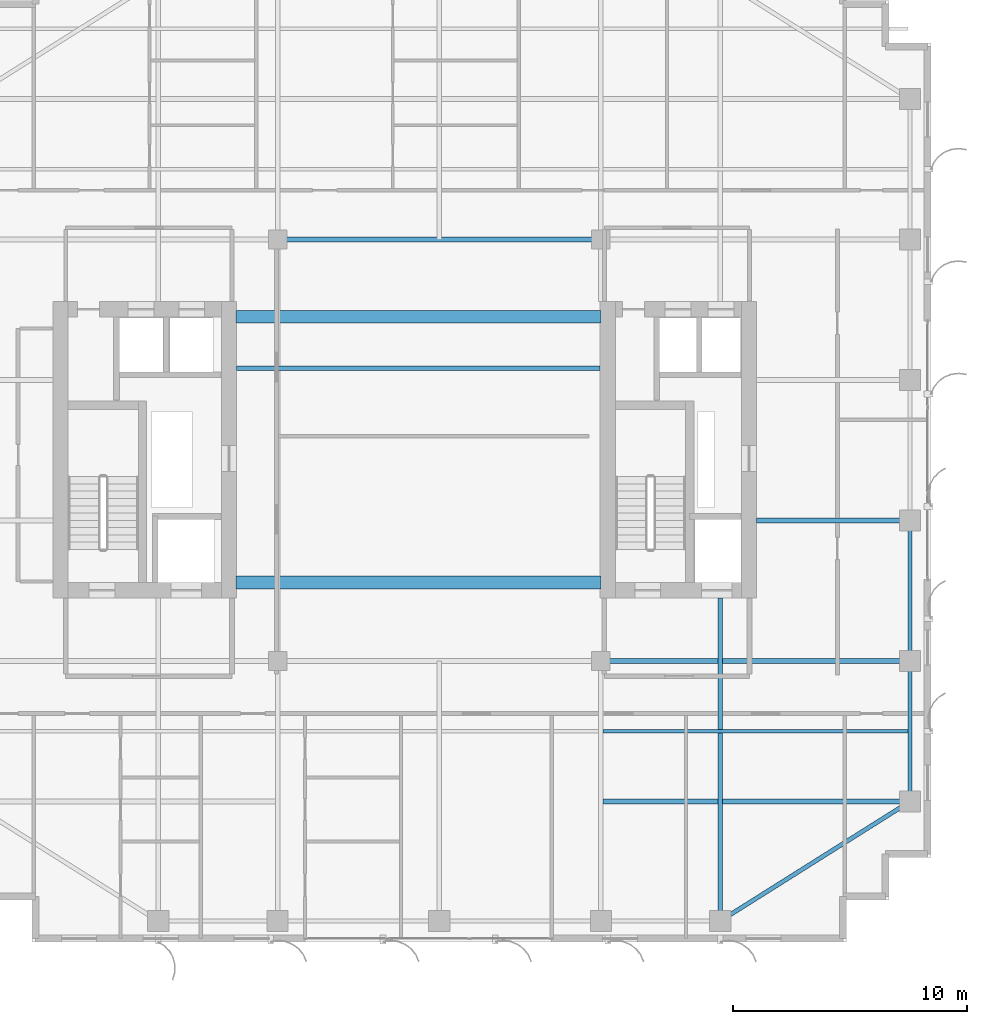
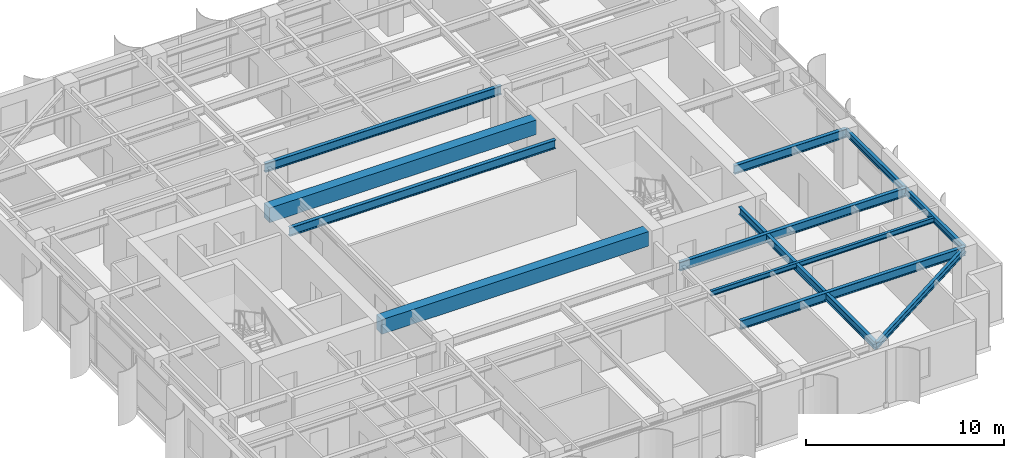
# One storey, part 8 of 22: 12 beams.
"""IFC4 building model written with IfcOpenShell, lengths in metres."""

from ifc_helpers import new_model, si_unit, direction, frame, origin, origin_2d, place, context, subcontext, project, spatial, rectangle, i_section, extrude, source, transform, mapped, material, material_profile, profile_set, type_object, element, save


model = new_model("IFC4")

# Units and contexts
model_context = context("Model", 3, precision=1e-05, world=origin(), true_north=direction((0.0, 1.0)))
body_context = subcontext(model_context, "Body", "Model", "MODEL_VIEW")
ifc_project = project(units=[si_unit("LENGTHUNIT", "METRE"), si_unit("AREAUNIT", "SQUARE_METRE"), si_unit("VOLUMEUNIT", "CUBIC_METRE"), si_unit("PLANEANGLEUNIT", "RADIAN"), si_unit("MASSUNIT", "GRAM", prefix="KILO")], contexts=[model_context])

# Site, building, storey
site_placement = place(None, origin())
site = spatial("IfcSite", under=ifc_project, at=site_placement, CompositionType="ELEMENT")
building_placement = place(site_placement, origin())
building = spatial("IfcBuilding", under=site, at=building_placement, Name="Khoralis Quay Care Tower", CompositionType="ELEMENT")
storey_placement = place(building_placement, frame((0.0, 0.0, 170.10009765625)))
storey = spatial("IfcBuildingStorey", under=building, at=storey_placement, Name="L44", CompositionType="ELEMENT", Elevation=170.10009765625)

# Beams
ifc_material_1 = material(Name="Concrete C65/80", Category="concrete")
ifc_material_profile_1 = material_profile(ifc_material_1, rectangle(XDim=0.550048828125, YDim=0.89990234375, at=origin_2d()), Name="Concrete C65/80")
ifc_profile_set_1 = profile_set([ifc_material_profile_1], Name="Concrete C65/80")
beam_type_1 = type_object("IfcBeamType", Name="CB-RC550X900", PredefinedType="LINTEL", material=ifc_profile_set_1)
shared_shape_1 = source(origin(), body_context, "Body", "SweptSolid", [
    extrude(rectangle(XDim=0.550048828125, YDim=0.89990234375, at=origin_2d()), origin(), (0.0, 0.0, 1.0), 15.579833984375),
])
for number, where, z_axis, x_axis, name in (
    (1, (15.320068359375, 15.35009765625, 2.889892578125), (1.0, 0.0, 0.0), (0.0, 1.0, 0.0), "L44 South Core Coupling Lintel"),
    (2, (15.320068359375, 26.699951171875, 2.889892578125), (1.0, 0.0, 0.0), (0.0, 1.0, 0.0), "L44 North Core Coupling Lintel"),
):
    element("IfcBeam", number, at=place(storey_placement, frame(where, z_axis=z_axis, x_axis=x_axis)), inside=storey, type_object=beam_type_1, Name=name, PredefinedType="LINTEL", context=body_context, shape_type="MappedRepresentation", body=[
        mapped(shared_shape_1, transform((0.0, 0.0, 0.0), scale=1.0)),
    ])
ifc_material_2 = material(Name="Steel S355", Category="steel")
ifc_material_profile_2 = material_profile(ifc_material_2, i_section(OverallWidth=0.179931640625, OverallDepth=0.39990234375, WebThickness=0.008544921875, FlangeThickness=0.013427734375, FilletRadius=0.02099609375, at=origin_2d()), Name="Steel S355")
ifc_profile_set_2 = profile_set([ifc_material_profile_2], Name="Steel S355")
beam_type_2 = type_object("IfcBeamType", Name="BM-IPE400", PredefinedType="SPANDREL", material=ifc_profile_set_2)
shared_shape_2 = source(origin(), body_context, "Body", "SweptSolid", [
    extrude(i_section(OverallWidth=0.179931640625, OverallDepth=0.39990234375, WebThickness=0.008544921875, FlangeThickness=0.013427734375, FilletRadius=0.02099609375, at=origin_2d()), origin(), (0.0, 0.0, 1.0), 6.0),
])
for number, where, z_axis, x_axis, name in (
    (3, (44.10009765625, 6.0, 3.139892578125), (0.0, 1.0, 0.0), (-1.0, 0.0, 0.0), "BM-TSP-L44-14"),
    (4, (44.10009765625, 12.0, 3.139892578125), (0.0, 1.0, 0.0), (-1.0, 0.0, 0.0), "BM-TSP-L44-15"),
):
    element("IfcBeam", number, at=place(storey_placement, frame(where, z_axis=z_axis, x_axis=x_axis)), inside=storey, type_object=beam_type_2, Name=name, PredefinedType="SPANDREL", context=body_context, shape_type="MappedRepresentation", body=[
        mapped(shared_shape_2, transform((0.0, 0.0, 0.0), scale=1.0)),
    ])
shared_shape_3 = source(origin(), body_context, "Body", "SweptSolid", [
    extrude(i_section(OverallWidth=0.179931640625, OverallDepth=0.39990234375, WebThickness=0.008544921875, FlangeThickness=0.013427734375, FilletRadius=0.02099609375, at=origin_2d()), origin(), (0.0, 0.0, 1.0), 9.572021484375),
])
beam_1_placement = place(storey_placement, frame((36.0, 0.89990234375, 3.139892578125), z_axis=(0.846231136359, 0.532815975602, 0.0), x_axis=(-0.532815975602, 0.846231136359, 0.0)))
element("IfcBeam", 5, at=beam_1_placement, inside=storey, type_object=beam_type_2, Name="BM-TCR-L44-20", PredefinedType="SPANDREL", context=body_context, shape_type="MappedRepresentation", body=[
    mapped(shared_shape_3, transform((0.0, 0.0, 0.0), scale=1.0)),
])
ifc_material_profile_3 = material_profile(ifc_material_2, i_section(OverallWidth=0.208984375, OverallDepth=0.532958984375, WebThickness=0.01025390625, FlangeThickness=0.015625, FilletRadius=0.01611328125, at=origin_2d()), Name="Steel S355")
ifc_profile_set_3 = profile_set([ifc_material_profile_3], Name="Steel S355")
beam_type_3 = type_object("IfcBeamType", Name="BM-W530X92", PredefinedType="BEAM", material=ifc_profile_set_3)
shared_shape_4 = source(origin(), body_context, "Body", "SweptSolid", [
    extrude(i_section(OverallWidth=0.208984375, OverallDepth=0.532958984375, WebThickness=0.01025390625, FlangeThickness=0.015625, FilletRadius=0.01611328125, at=origin_2d()), origin(), (0.0, 0.0, 1.0), 13.1162109375),
])
beam_2_placement = place(storey_placement, frame((30.98388671875, 6.0, 3.073486328125), z_axis=(1.0, 0.0, 0.0), x_axis=(0.0, 1.0, 0.0)))
element("IfcBeam", 6, at=beam_2_placement, inside=storey, type_object=beam_type_3, Name="BM-TGXE-L44-60", PredefinedType="BEAM", context=body_context, shape_type="MappedRepresentation", body=[
    mapped(shared_shape_4, transform((0.0, 0.0, 0.0), scale=1.0)),
])
shared_shape_5 = source(origin(), body_context, "Body", "SweptSolid", [
    extrude(i_section(OverallWidth=0.208984375, OverallDepth=0.532958984375, WebThickness=0.01025390625, FlangeThickness=0.015625, FilletRadius=0.01611328125, at=origin_2d()), origin(), (0.0, 0.0, 1.0), 13.2001953125),
])
beam_3_placement = place(storey_placement, frame((30.89990234375, 12.0, 3.073486328125), z_axis=(1.0, 0.0, 0.0), x_axis=(0.0, 1.0, 0.0)))
element("IfcBeam", 7, at=beam_3_placement, inside=storey, type_object=beam_type_3, Name="BM-TGXE-L44-120", PredefinedType="BEAM", context=body_context, shape_type="MappedRepresentation", body=[
    mapped(shared_shape_5, transform((0.0, 0.0, 0.0), scale=1.0)),
])
shared_shape_6 = source(origin(), body_context, "Body", "SweptSolid", [
    extrude(i_section(OverallWidth=0.208984375, OverallDepth=0.532958984375, WebThickness=0.01025390625, FlangeThickness=0.015625, FilletRadius=0.01611328125, at=origin_2d()), origin(), (0.0, 0.0, 1.0), 6.552001953125),
])
beam_4_placement = place(storey_placement, frame((37.548095703125, 18.0, 3.073486328125), z_axis=(1.0, 0.0, 0.0), x_axis=(0.0, 1.0, 0.0)))
element("IfcBeam", 8, at=beam_4_placement, inside=storey, type_object=beam_type_3, Name="BM-TGXE-L44-180", PredefinedType="BEAM", context=body_context, shape_type="MappedRepresentation", body=[
    mapped(shared_shape_6, transform((0.0, 0.0, 0.0), scale=1.0)),
])
shared_shape_7 = source(origin(), body_context, "Body", "SweptSolid", [
    extrude(i_section(OverallWidth=0.208984375, OverallDepth=0.532958984375, WebThickness=0.01025390625, FlangeThickness=0.015625, FilletRadius=0.01611328125, at=origin_2d()), origin(), (0.0, 0.0, 1.0), 13.7998046875),
])
beam_5_placement = place(storey_placement, frame((17.10009765625, 30.0, 3.073486328125), z_axis=(1.0, 0.0, 0.0), x_axis=(0.0, 1.0, 0.0)))
element("IfcBeam", 9, at=beam_5_placement, inside=storey, type_object=beam_type_3, Name="BM-TGCC-L44-300", PredefinedType="BEAM", context=body_context, shape_type="MappedRepresentation", body=[
    mapped(shared_shape_7, transform((0.0, 0.0, 0.0), scale=1.0)),
])
shared_shape_8 = source(origin(), body_context, "Body", "SweptSolid", [
    extrude(i_section(OverallWidth=0.208984375, OverallDepth=0.532958984375, WebThickness=0.01025390625, FlangeThickness=0.015625, FilletRadius=0.01611328125, at=origin_2d()), origin(), (0.0, 0.0, 1.0), 15.524169921875),
])
beam_6_placement = place(storey_placement, frame((15.347900390625, 24.5, 3.073486328125), z_axis=(1.0, 0.0, 0.0), x_axis=(0.0, 1.0, 0.0)))
element("IfcBeam", 10, at=beam_6_placement, inside=storey, type_object=beam_type_3, Name="BM-TGCC-L44-245", PredefinedType="BEAM", context=body_context, shape_type="MappedRepresentation", body=[
    mapped(shared_shape_8, transform((0.0, 0.0, 0.0), scale=1.0)),
])
ifc_material_profile_4 = material_profile(ifc_material_2, i_section(OverallWidth=0.19189453125, OverallDepth=0.462890625, WebThickness=0.010498046875, FlangeThickness=0.017578125, FilletRadius=0.014892578125, at=origin_2d()), Name="Steel S355")
ifc_profile_set_4 = profile_set([ifc_material_profile_4], Name="Steel S355")
beam_type_4 = type_object("IfcBeamType", Name="BM-W460X89", PredefinedType="BEAM", material=ifc_profile_set_4)
shared_shape_9 = source(origin(), body_context, "Body", "SweptSolid", [
    extrude(i_section(OverallWidth=0.19189453125, OverallDepth=0.462890625, WebThickness=0.010498046875, FlangeThickness=0.017578125, FilletRadius=0.014892578125, at=origin_2d()), origin(), (0.0, 0.0, 1.0), 13.802001953125),
])
beam_7_placement = place(storey_placement, frame((36.0, 0.89990234375, 3.1083984375), z_axis=(0.0, 1.0, 0.0), x_axis=(-1.0, 0.0, 0.0)))
element("IfcBeam", 11, at=beam_7_placement, inside=storey, type_object=beam_type_4, Name="BM-TGYS-L44-360", PredefinedType="BEAM", context=body_context, shape_type="MappedRepresentation", body=[
    mapped(shared_shape_9, transform((0.0, 0.0, 0.0), scale=1.0)),
])
ifc_material_profile_5 = material_profile(ifc_material_2, i_section(OverallWidth=0.1650390625, OverallDepth=0.31005859375, WebThickness=0.005859375, FlangeThickness=0.009765625, FilletRadius=0.011962890625, at=origin_2d()), Name="Steel S355")
ifc_profile_set_5 = profile_set([ifc_material_profile_5], Name="Steel S355")
beam_type_5 = type_object("IfcBeamType", Name="BM-W310X39", PredefinedType="JOIST", material=ifc_profile_set_5)
shared_shape_10 = source(origin(), body_context, "Body", "SweptSolid", [
    extrude(i_section(OverallWidth=0.1650390625, OverallDepth=0.31005859375, WebThickness=0.005859375, FlangeThickness=0.009765625, FilletRadius=0.011962890625, at=origin_2d()), origin(), (0.0, 0.0, 1.0), 13.0400390625),
])
beam_8_placement = place(storey_placement, frame((30.98388671875, 9.0, 3.184814453125), z_axis=(1.0, 0.0, 0.0), x_axis=(0.0, 1.0, 0.0)))
element("IfcBeam", 12, at=beam_8_placement, inside=storey, type_object=beam_type_5, Name="BM-TJS-L44-24", PredefinedType="JOIST", context=body_context, shape_type="MappedRepresentation", body=[
    mapped(shared_shape_10, transform((0.0, 0.0, 0.0), scale=1.0)),
])

save(model, "model.ifc")
